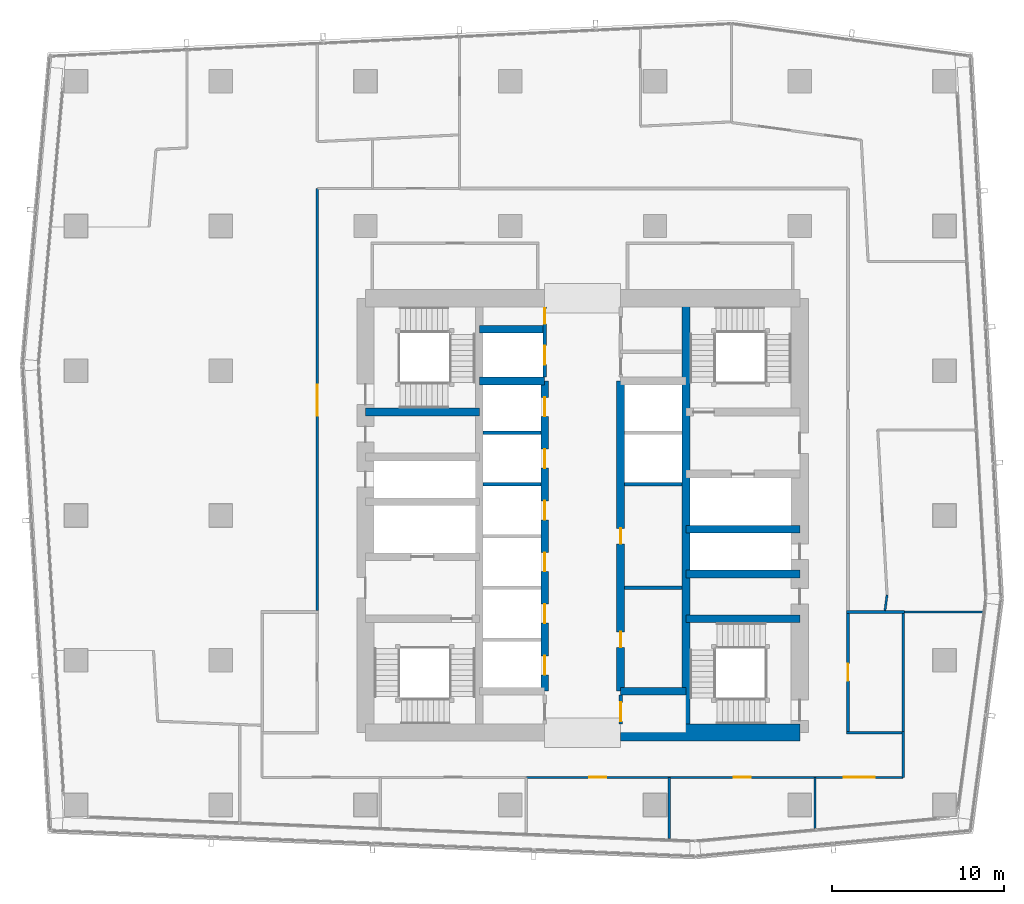
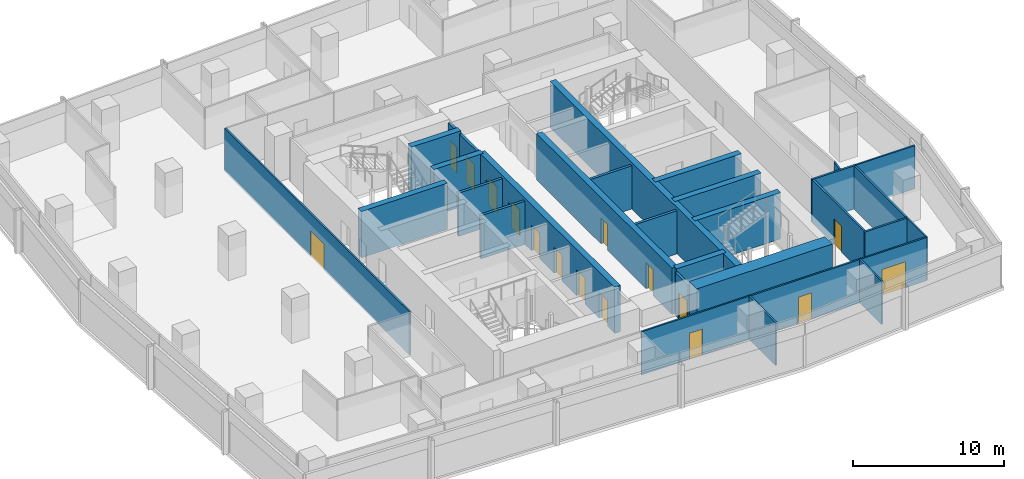
# One storey, part 28 of 40: 30 walls, 16 doors, 16 openings.
"""IFC4 building model written with IfcOpenShell, lengths in metres."""

from ifc_helpers import new_model, si_unit, direction, frame, frame_2d, origin, place, context, subcontext, project, spatial, rectangle, extrude, material, layer, layer_set, type_object, element, fill, save


model = new_model("IFC4")

# Units and contexts
model_context = context("Model", 3, precision=1e-05, world=origin(), true_north=direction((0.0, 1.0)))
body_context = subcontext(model_context, "Body", "Model", "MODEL_VIEW")
ifc_project = project(units=[si_unit("LENGTHUNIT", "METRE"), si_unit("AREAUNIT", "SQUARE_METRE"), si_unit("VOLUMEUNIT", "CUBIC_METRE"), si_unit("PLANEANGLEUNIT", "RADIAN"), si_unit("MASSUNIT", "GRAM", prefix="KILO")], contexts=[model_context])

# Site, building, storey
site_placement = place(None, origin())
site = spatial("IfcSite", under=ifc_project, at=site_placement, CompositionType="ELEMENT")
building_placement = place(site_placement, origin())
building = spatial("IfcBuilding", under=site, at=building_placement, Name="Rekha Terrace Tower", CompositionType="ELEMENT")
storey_placement = place(building_placement, frame((0.0, 0.0, 210.199951171875)))
storey = spatial("IfcBuildingStorey", under=building, at=storey_placement, Name="L53", CompositionType="ELEMENT", Elevation=210.199951171875)

# Wall
ifc_material_1 = material(Name="Concrete M60", Category="concrete")
ifc_layer_1 = layer(ifc_material_1, 0.449951171875)
ifc_layer_set_1 = layer_set([ifc_layer_1], Name="Concrete M60")
wall_type_1 = type_object("IfcWallType", Name="CI3 450 core internal shear wall", PredefinedType="SHEAR", material=ifc_layer_set_1)
wall_1_placement = place(storey_placement, frame((43.800048828125, 21.0, 0.0), z_axis=(0.0, 0.0, 1.0), x_axis=(0.0, 1.0, 0.0)))
element("IfcWall", 1, at=wall_1_placement, inside=storey, type_object=wall_type_1, Name="Core wall X438 L53", PredefinedType="SHEAR", context=body_context, shape_type="SweptSolid", body=[
    extrude(rectangle(XDim=25.199951171875, YDim=0.449951171875, at=frame_2d((12.60009765625, 0.0))), origin(), (0.0, 0.0, 1.0), 3.75),
])

# Wall, openings, doors
wall_2_placement = place(storey_placement, frame((35.60009765625, 23.39990234375, 0.0), z_axis=(0.0, 0.0, 1.0), x_axis=(0.0, 1.0, 0.0)))
wall_2 = element("IfcWall", 2, at=wall_2_placement, inside=storey, type_object=wall_type_1, Name="Core wall X356 L53", PredefinedType="SHEAR", context=body_context, shape_type="SweptSolid", body=[
    extrude(rectangle(XDim=18.0, YDim=0.449951171875, at=frame_2d((9.0, 0.0))), origin(), (0.0, 0.0, 1.0), 3.75),
])
opening_1_placement = place(wall_2_placement, frame((0.949951171875, 0.0, 0.0)))
opening_1 = element("IfcOpeningElement", 3, at=opening_1_placement, cuts=wall_2, Name="Opening LD1", PredefinedType="OPENING", context=body_context, shape_type="SweptSolid", body=[
    extrude(rectangle(XDim=1.10009765625, YDim=2.10009765625, at=frame_2d((0.550048828125, 1.050048828125))), frame((0.0, 0.23486328125, 0.0), z_axis=(0.0, -1.0, 0.0), x_axis=(1.0, 0.0, 0.0)), (0.0, 0.0, 1.0), 0.469970703125),
])
opening_2_placement = place(wall_2_placement, frame((3.949951171875, 0.0, 0.0)))
opening_2 = element("IfcOpeningElement", 4, at=opening_2_placement, cuts=wall_2, Name="Opening LD1", PredefinedType="OPENING", context=body_context, shape_type="SweptSolid", body=[
    extrude(rectangle(XDim=1.10009765625, YDim=2.10009765625, at=frame_2d((0.550048828125, 1.050048828125))), frame((0.0, 0.23486328125, 0.0), z_axis=(0.0, -1.0, 0.0), x_axis=(1.0, 0.0, 0.0)), (0.0, 0.0, 1.0), 0.469970703125),
])
opening_3_placement = place(wall_2_placement, frame((6.949951171875, 0.0, 0.0)))
opening_3 = element("IfcOpeningElement", 5, at=opening_3_placement, cuts=wall_2, Name="Opening LD1", PredefinedType="OPENING", context=body_context, shape_type="SweptSolid", body=[
    extrude(rectangle(XDim=1.10009765625, YDim=2.10009765625, at=frame_2d((0.550048828125, 1.050048828125))), frame((0.0, 0.23486328125, 0.0), z_axis=(0.0, -1.0, 0.0), x_axis=(1.0, 0.0, 0.0)), (0.0, 0.0, 1.0), 0.469970703125),
])
opening_4_placement = place(wall_2_placement, frame((9.949951171875, 0.0, 0.0)))
opening_4 = element("IfcOpeningElement", 6, at=opening_4_placement, cuts=wall_2, Name="Opening LD1", PredefinedType="OPENING", context=body_context, shape_type="SweptSolid", body=[
    extrude(rectangle(XDim=1.10009765625, YDim=2.10009765625, at=frame_2d((0.550048828125, 1.050048828125))), frame((0.0, 0.23486328125, 0.0), z_axis=(0.0, -1.0, 0.0), x_axis=(1.0, 0.0, 0.0)), (0.0, 0.0, 1.0), 0.469970703125),
])
opening_5_placement = place(wall_2_placement, frame((12.949951171875, 0.0, 0.0)))
opening_5 = element("IfcOpeningElement", 7, at=opening_5_placement, cuts=wall_2, Name="Opening LD1", PredefinedType="OPENING", context=body_context, shape_type="SweptSolid", body=[
    extrude(rectangle(XDim=1.10009765625, YDim=2.10009765625, at=frame_2d((0.550048828125, 1.050048828125))), frame((0.0, 0.23486328125, 0.0), z_axis=(0.0, -1.0, 0.0), x_axis=(1.0, 0.0, 0.0)), (0.0, 0.0, 1.0), 0.469970703125),
])
opening_6_placement = place(wall_2_placement, frame((15.949951171875, 0.0, 0.0)))
opening_6 = element("IfcOpeningElement", 8, at=opening_6_placement, cuts=wall_2, Name="Opening LD1", PredefinedType="OPENING", context=body_context, shape_type="SweptSolid", body=[
    extrude(rectangle(XDim=1.10009765625, YDim=2.10009765625, at=frame_2d((0.550048828125, 1.050048828125))), frame((0.0, 0.23486328125, 0.0), z_axis=(0.0, -1.0, 0.0), x_axis=(1.0, 0.0, 0.0)), (0.0, 0.0, 1.0), 0.469970703125),
])
ifc_material_2 = material(Name="Stainless steel sliding landing door", Category="steel")
door_type_1 = type_object("IfcDoorType", Name="LD1 1100x2100 lift landing door", OperationType="SLIDING_TO_LEFT", PredefinedType="USERDEFINED", material=ifc_material_2)
door_1_placement = place(opening_1_placement, origin())
door_1 = element("IfcDoor", 9, at=door_1_placement, inside=storey, type_object=door_type_1, Name="Lift C1 landing door L53", ObjectType="LIFT LANDING DOOR", OperationType="SLIDING_TO_LEFT", OverallHeight=2.10009765625, OverallWidth=1.10009765625, PredefinedType="USERDEFINED", context=body_context, shape_type="SweptSolid", body=[
    extrude(rectangle(XDim=1.10009765625, YDim=2.10009765625, at=frame_2d((0.550048828125, 1.050048828125))), frame((0.0, 0.02490234375, 0.0), z_axis=(0.0, -1.0, 0.0), x_axis=(1.0, 0.0, 0.0)), (0.0, 0.0, 1.0), 0.050048828125),
])
fill(opening_1, door_1)
door_2_placement = place(opening_2_placement, origin())
door_2 = element("IfcDoor", 10, at=door_2_placement, inside=storey, type_object=door_type_1, Name="Lift C2 landing door L53", ObjectType="LIFT LANDING DOOR", OperationType="SLIDING_TO_LEFT", OverallHeight=2.10009765625, OverallWidth=1.10009765625, PredefinedType="USERDEFINED", context=body_context, shape_type="SweptSolid", body=[
    extrude(rectangle(XDim=1.10009765625, YDim=2.10009765625, at=frame_2d((0.550048828125, 1.050048828125))), frame((0.0, 0.02490234375, 0.0), z_axis=(0.0, -1.0, 0.0), x_axis=(1.0, 0.0, 0.0)), (0.0, 0.0, 1.0), 0.050048828125),
])
fill(opening_2, door_2)
door_3_placement = place(opening_3_placement, origin())
door_3 = element("IfcDoor", 11, at=door_3_placement, inside=storey, type_object=door_type_1, Name="Lift C3 landing door L53", ObjectType="LIFT LANDING DOOR", OperationType="SLIDING_TO_LEFT", OverallHeight=2.10009765625, OverallWidth=1.10009765625, PredefinedType="USERDEFINED", context=body_context, shape_type="SweptSolid", body=[
    extrude(rectangle(XDim=1.10009765625, YDim=2.10009765625, at=frame_2d((0.550048828125, 1.050048828125))), frame((0.0, 0.02490234375, 0.0), z_axis=(0.0, -1.0, 0.0), x_axis=(1.0, 0.0, 0.0)), (0.0, 0.0, 1.0), 0.050048828125),
])
fill(opening_3, door_3)
door_4_placement = place(opening_4_placement, origin())
door_4 = element("IfcDoor", 12, at=door_4_placement, inside=storey, type_object=door_type_1, Name="Lift C4 landing door L53", ObjectType="LIFT LANDING DOOR", OperationType="SLIDING_TO_LEFT", OverallHeight=2.10009765625, OverallWidth=1.10009765625, PredefinedType="USERDEFINED", context=body_context, shape_type="SweptSolid", body=[
    extrude(rectangle(XDim=1.10009765625, YDim=2.10009765625, at=frame_2d((0.550048828125, 1.050048828125))), frame((0.0, 0.02490234375, 0.0), z_axis=(0.0, -1.0, 0.0), x_axis=(1.0, 0.0, 0.0)), (0.0, 0.0, 1.0), 0.050048828125),
])
fill(opening_4, door_4)
door_5_placement = place(opening_5_placement, origin())
door_5 = element("IfcDoor", 13, at=door_5_placement, inside=storey, type_object=door_type_1, Name="Lift C5 landing door L53", ObjectType="LIFT LANDING DOOR", OperationType="SLIDING_TO_LEFT", OverallHeight=2.10009765625, OverallWidth=1.10009765625, PredefinedType="USERDEFINED", context=body_context, shape_type="SweptSolid", body=[
    extrude(rectangle(XDim=1.10009765625, YDim=2.10009765625, at=frame_2d((0.550048828125, 1.050048828125))), frame((0.0, 0.02490234375, 0.0), z_axis=(0.0, -1.0, 0.0), x_axis=(1.0, 0.0, 0.0)), (0.0, 0.0, 1.0), 0.050048828125),
])
fill(opening_5, door_5)
door_6_placement = place(opening_6_placement, origin())
door_6 = element("IfcDoor", 14, at=door_6_placement, inside=storey, type_object=door_type_1, Name="Lift C6 landing door L53", ObjectType="LIFT LANDING DOOR", OperationType="SLIDING_TO_LEFT", OverallHeight=2.10009765625, OverallWidth=1.10009765625, PredefinedType="USERDEFINED", context=body_context, shape_type="SweptSolid", body=[
    extrude(rectangle(XDim=1.10009765625, YDim=2.10009765625, at=frame_2d((0.550048828125, 1.050048828125))), frame((0.0, 0.02490234375, 0.0), z_axis=(0.0, -1.0, 0.0), x_axis=(1.0, 0.0, 0.0)), (0.0, 0.0, 1.0), 0.050048828125),
])
fill(opening_6, door_6)

wall_3_placement = place(storey_placement, frame((40.0, 23.39990234375, 0.0), z_axis=(0.0, 0.0, 1.0), x_axis=(0.0, 1.0, 0.0)))
wall_3 = element("IfcWall", 15, at=wall_3_placement, inside=storey, type_object=wall_type_1, Name="Core wall X400 L53", PredefinedType="SHEAR", context=body_context, shape_type="SweptSolid", body=[
    extrude(rectangle(XDim=18.0, YDim=0.449951171875, at=frame_2d((9.0, 0.0))), origin(), (0.0, 0.0, 1.0), 3.75),
])
opening_7_placement = place(wall_3_placement, frame((2.550048828125, 0.0, 0.0)))
opening_7 = element("IfcOpeningElement", 16, at=opening_7_placement, cuts=wall_3, Name="Opening D5", PredefinedType="OPENING", context=body_context, shape_type="SweptSolid", body=[
    extrude(rectangle(XDim=0.89990234375, YDim=2.10009765625, at=frame_2d((0.449951171875, 1.050048828125))), frame((0.0, 0.23486328125, 0.0), z_axis=(0.0, -1.0, 0.0), x_axis=(1.0, 0.0, 0.0)), (0.0, 0.0, 1.0), 0.469970703125),
])
opening_8_placement = place(wall_3_placement, frame((8.550048828125, 0.0, 0.0)))
opening_8 = element("IfcOpeningElement", 17, at=opening_8_placement, cuts=wall_3, Name="Opening D5", PredefinedType="OPENING", context=body_context, shape_type="SweptSolid", body=[
    extrude(rectangle(XDim=0.89990234375, YDim=2.10009765625, at=frame_2d((0.449951171875, 1.050048828125))), frame((0.0, 0.23486328125, 0.0), z_axis=(0.0, -1.0, 0.0), x_axis=(1.0, 0.0, 0.0)), (0.0, 0.0, 1.0), 0.469970703125),
])
ifc_material_3 = material(Name="Steel fire door", Category="steel")
door_type_2 = type_object("IfcDoorType", Name="D5 900x2100 riser access door", OperationType="SINGLE_SWING_LEFT", PredefinedType="DOOR", material=ifc_material_3)
door_7_placement = place(opening_7_placement, origin())
door_7 = element("IfcDoor", 18, at=door_7_placement, inside=storey, type_object=door_type_2, Name="Door back-of-house store L53", OperationType="SINGLE_SWING_LEFT", OverallHeight=2.10009765625, OverallWidth=0.89990234375, PredefinedType="DOOR", context=body_context, shape_type="SweptSolid", body=[
    extrude(rectangle(XDim=0.89990234375, YDim=2.10009765625, at=frame_2d((0.449951171875, 1.050048828125))), frame((0.0, 0.02490234375, 0.0), z_axis=(0.0, -1.0, 0.0), x_axis=(1.0, 0.0, 0.0)), (0.0, 0.0, 1.0), 0.050048828125),
])
fill(opening_7, door_7)
door_8_placement = place(opening_8_placement, origin())
door_8 = element("IfcDoor", 19, at=door_8_placement, inside=storey, type_object=door_type_2, Name="Door back-of-house store L53", OperationType="SINGLE_SWING_LEFT", OverallHeight=2.10009765625, OverallWidth=0.89990234375, PredefinedType="DOOR", context=body_context, shape_type="SweptSolid", body=[
    extrude(rectangle(XDim=0.89990234375, YDim=2.10009765625, at=frame_2d((0.449951171875, 1.050048828125))), frame((0.0, 0.02490234375, 0.0), z_axis=(0.0, -1.0, 0.0), x_axis=(1.0, 0.0, 0.0)), (0.0, 0.0, 1.0), 0.050048828125),
])
fill(opening_8, door_8)

# Walls
for number, where, z_axis, x_axis, name in (
    (20, (31.800048828125, 41.39990234375, 0.0), (0.0, 0.0, 1.0), (1.0, 0.0, 0.0), "Core wall Y414W L53"),
    (21, (31.800048828125, 44.39990234375, 0.0), (0.0, 0.0, 1.0), (1.0, 0.0, 0.0), "Core wall Y444W L53"),
    (22, (40.0, 23.39990234375, 0.0), (0.0, 0.0, 1.0), (1.0, 0.0, 0.0), "Core wall Y234E L53"),
):
    element("IfcWall", number, at=place(storey_placement, frame(where, z_axis=z_axis, x_axis=x_axis)), inside=storey, type_object=wall_type_1, Name=name, PredefinedType="SHEAR", context=body_context, shape_type="SweptSolid", body=[
        extrude(rectangle(XDim=3.800048828125, YDim=0.449951171875, at=frame_2d((1.89990234375, 0.0))), origin(), (0.0, 0.0, 1.0), 3.75),
    ])
wall_4_placement = place(storey_placement, frame((25.199951171875, 39.60009765625, 0.0), z_axis=(0.0, 0.0, 1.0), x_axis=(1.0, 0.0, 0.0)))
element("IfcWall", 23, at=wall_4_placement, inside=storey, type_object=wall_type_1, Name="Core wall Y396W L53", PredefinedType="SHEAR", context=body_context, shape_type="SweptSolid", body=[
    extrude(rectangle(XDim=6.60009765625, YDim=0.449951171875, at=frame_2d((3.300048828125, 0.0))), origin(), (0.0, 0.0, 1.0), 3.75),
])
for number, where, z_axis, x_axis, name in (
    (24, (43.800048828125, 27.60009765625, 0.0), (0.0, 0.0, 1.0), (1.0, 0.0, 0.0), "Core wall Y276E L53"),
    (25, (43.800048828125, 30.199951171875, 0.0), (0.0, 0.0, 1.0), (1.0, 0.0, 0.0), "Core wall Y302E L53"),
    (26, (43.800048828125, 32.800048828125, 0.0), (0.0, 0.0, 1.0), (1.0, 0.0, 0.0), "Core wall Y328E L53"),
):
    element("IfcWall", number, at=place(storey_placement, frame(where, z_axis=z_axis, x_axis=x_axis)), inside=storey, type_object=wall_type_1, Name=name, PredefinedType="SHEAR", context=body_context, shape_type="SweptSolid", body=[
        extrude(rectangle(XDim=6.599853515625, YDim=0.449951171875, at=frame_2d((3.2998046875, 0.0))), origin(), (0.0, 0.0, 1.0), 3.75),
    ])
ifc_layer_2 = layer(ifc_material_1, 1.0)
ifc_layer_set_2 = layer_set([ifc_layer_2], Name="Concrete M60")
wall_type_2 = type_object("IfcWallType", Name="SW3 1000 core outer shear wall", PredefinedType="SHEAR", material=ifc_layer_set_2)
wall_5_placement = place(storey_placement, frame((40.0, 21.0, 0.0), z_axis=(0.0, 0.0, 1.0), x_axis=(1.0, 0.0, 0.0)))
element("IfcWall", 27, at=wall_5_placement, inside=storey, type_object=wall_type_2, Name="Core wall S2 L53", PredefinedType="SHEAR", context=body_context, shape_type="SweptSolid", body=[
    extrude(rectangle(XDim=10.39990234375, YDim=1.0, at=frame_2d((5.199951171875, 0.0))), origin(), (0.0, 0.0, 1.0), 3.75),
])
ifc_material_4 = material(Name="Concrete block masonry, 1 hour", Category="masonry")
ifc_layer_3 = layer(ifc_material_4, 0.14990234375)
ifc_layer_set_3 = layer_set([ifc_layer_3], Name="Concrete block masonry, 1 hour")
wall_type_3 = type_object("IfcWallType", Name="WP2 150 tenancy partition", PredefinedType="PARTITIONING", material=ifc_layer_set_3)
for number, where, z_axis, x_axis, name in (
    (28, (53.125, 21.0, 0.0), (0.0, 0.0, 1.0), (1.0, 0.0, 0.0), "Men's WC wall L53"),
    (29, (53.125, 28.0, 0.0), (0.0, 0.0, 1.0), (1.0, 0.0, 0.0), "Men's WC wall L53"),
):
    element("IfcWall", number, at=place(storey_placement, frame(where, z_axis=z_axis, x_axis=x_axis)), inside=storey, type_object=wall_type_3, Name=name, PredefinedType="PARTITIONING", context=body_context, shape_type="SweptSolid", body=[
        extrude(rectangle(XDim=3.35009765625, YDim=0.14990234375, at=frame_2d((1.675048828125, 0.0))), origin(), (0.0, 0.0, 1.0), 3.5),
    ])

# Wall, opening, door
wall_6_placement = place(storey_placement, frame((53.199951171875, 21.074951171875, 0.0), z_axis=(0.0, 0.0, 1.0), x_axis=(0.0, 1.0, 0.0)))
wall_6 = element("IfcWall", 30, at=wall_6_placement, inside=storey, type_object=wall_type_3, Name="Men's WC wall L53", PredefinedType="PARTITIONING", context=body_context, shape_type="SweptSolid", body=[
    extrude(rectangle(XDim=6.85009765625, YDim=0.14990234375, at=frame_2d((3.425048828125, 0.0))), origin(), (0.0, 0.0, 1.0), 3.5),
])
opening_9_placement = place(wall_6_placement, frame((2.925048828125, 0.0, 0.0)))
opening_9 = element("IfcOpeningElement", 31, at=opening_9_placement, cuts=wall_6, Name="Opening D3", PredefinedType="OPENING", context=body_context, shape_type="SweptSolid", body=[
    extrude(rectangle(XDim=1.0, YDim=2.10009765625, at=frame_2d((0.5, 1.050048828125))), frame((0.0, 0.0849609375, 0.0), z_axis=(0.0, -1.0, 0.0), x_axis=(1.0, 0.0, 0.0)), (0.0, 0.0, 1.0), 0.169921875),
])
ifc_material_5 = material(Name="Laminated timber fire door", Category="wood")
door_type_3 = type_object("IfcDoorType", Name="D3 1000x2100 WC door", OperationType="SINGLE_SWING_LEFT", PredefinedType="DOOR", material=ifc_material_5)
door_9_placement = place(opening_9_placement, origin())
door_9 = element("IfcDoor", 32, at=door_9_placement, inside=storey, type_object=door_type_3, Name="Door men's wc L53", OperationType="SINGLE_SWING_LEFT", OverallHeight=2.10009765625, OverallWidth=1.0, PredefinedType="DOOR", context=body_context, shape_type="SweptSolid", body=[
    extrude(rectangle(XDim=1.0, YDim=2.10009765625, at=frame_2d((0.5, 1.050048828125))), frame((0.0, 0.02490234375, 0.0), z_axis=(0.0, -1.0, 0.0), x_axis=(1.0, 0.0, 0.0)), (0.0, 0.0, 1.0), 0.050048828125),
])
fill(opening_9, door_9)

# Wall
wall_7_placement = place(storey_placement, frame((56.39990234375, 21.074951171875, 0.0), z_axis=(0.0, 0.0, 1.0), x_axis=(0.0, 1.0, 0.0)))
element("IfcWall", 33, at=wall_7_placement, inside=storey, type_object=wall_type_3, Name="Men's WC wall L53", PredefinedType="PARTITIONING", context=body_context, shape_type="SweptSolid", body=[
    extrude(rectangle(XDim=6.85009765625, YDim=0.14990234375, at=frame_2d((3.425048828125, 0.0))), origin(), (0.0, 0.0, 1.0), 3.5),
])

# Wall, opening, door
ifc_material_6 = material(Name="Two layers of fire-rated gypsum board each side on steel studs, acoustic quilt, 1 hour", Category="steel")
ifc_layer_4 = layer(ifc_material_6, 0.125)
ifc_layer_set_4 = layer_set([ifc_layer_4], Name="Two layers of fire-rated gypsum board each side on steel studs, acoustic quilt, 1 hour")
wall_type_4 = type_object("IfcWallType", Name="WP3 125 office partition", PredefinedType="PARTITIONING", material=ifc_layer_set_4)
wall_8_placement = place(storey_placement, frame((34.531005859375, 18.39990234375, 0.0), z_axis=(0.0, 0.0, 1.0), x_axis=(1.0, 0.0, 0.0)))
wall_8 = element("IfcWall", 34, at=wall_8_placement, inside=storey, type_object=wall_type_4, Name="Partition L53-02", PredefinedType="PARTITIONING", context=body_context, shape_type="SweptSolid", body=[
    extrude(rectangle(XDim=8.2919921875, YDim=0.125, at=frame_2d((4.14599609375, 0.0))), origin(), (0.0, 0.0, 1.0), 3.5),
])
opening_10_placement = place(wall_8_placement, frame((3.64599609375, 0.0, 0.0)))
opening_10 = element("IfcOpeningElement", 35, at=opening_10_placement, cuts=wall_8, Name="Opening D9", PredefinedType="OPENING", context=body_context, shape_type="SweptSolid", body=[
    extrude(rectangle(XDim=1.0, YDim=2.10009765625, at=frame_2d((0.5, 1.050048828125))), frame((0.0, 0.072509765625, 0.0), z_axis=(0.0, -1.0, 0.0), x_axis=(1.0, 0.0, 0.0)), (0.0, 0.0, 1.0), 0.14501953125),
])
ifc_material_7 = material(Name="Timber fire door", Category="wood")
door_type_4 = type_object("IfcDoorType", Name="D9 1000x2100 office door", OperationType="SINGLE_SWING_LEFT", PredefinedType="DOOR", material=ifc_material_7)
door_10_placement = place(opening_10_placement, origin())
door_10 = element("IfcDoor", 36, at=door_10_placement, inside=storey, type_object=door_type_4, Name="Door meeting room L53", OperationType="SINGLE_SWING_LEFT", OverallHeight=2.10009765625, OverallWidth=1.0, PredefinedType="DOOR", context=body_context, shape_type="SweptSolid", body=[
    extrude(rectangle(XDim=1.0, YDim=2.10009765625, at=frame_2d((0.5, 1.050048828125))), frame((0.0, 0.02490234375, 0.0), z_axis=(0.0, -1.0, 0.0), x_axis=(1.0, 0.0, 0.0)), (0.0, 0.0, 1.0), 0.050048828125),
])
fill(opening_10, door_10)

# Wall
wall_9_placement = place(storey_placement, frame((42.822998046875, 18.39990234375, 0.0), z_axis=(0.0, 0.0, 1.0), x_axis=(0.0, -1.0, 0.0)))
element("IfcWall", 37, at=wall_9_placement, inside=storey, type_object=wall_type_4, Name="Partition L53-02", PredefinedType="PARTITIONING", context=body_context, shape_type="SweptSolid", body=[
    extrude(rectangle(XDim=3.548828125, YDim=0.125, at=frame_2d((1.7744140625, 0.0))), origin(), (0.0, 0.0, 1.0), 3.5),
])

# Wall, opening, door
wall_10_placement = place(storey_placement, frame((42.823974609375, 18.39990234375, 0.0), z_axis=(0.0, 0.0, 1.0), x_axis=(1.0, 0.0, 0.0)))
wall_10 = element("IfcWall", 38, at=wall_10_placement, inside=storey, type_object=wall_type_4, Name="Partition L53-03", PredefinedType="PARTITIONING", context=body_context, shape_type="SweptSolid", body=[
    extrude(rectangle(XDim=8.466064453125, YDim=0.125, at=frame_2d((4.23291015625, 0.0))), origin(), (0.0, 0.0, 1.0), 3.5),
])
opening_11_placement = place(wall_10_placement, frame((3.73291015625, 0.0, 0.0)))
opening_11 = element("IfcOpeningElement", 39, at=opening_11_placement, cuts=wall_10, Name="Opening D9", PredefinedType="OPENING", context=body_context, shape_type="SweptSolid", body=[
    extrude(rectangle(XDim=1.0, YDim=2.10009765625, at=frame_2d((0.5, 1.050048828125))), frame((0.0, 0.072509765625, 0.0), z_axis=(0.0, -1.0, 0.0), x_axis=(1.0, 0.0, 0.0)), (0.0, 0.0, 1.0), 0.14501953125),
])
door_11_placement = place(opening_11_placement, origin())
door_11 = element("IfcDoor", 40, at=door_11_placement, inside=storey, type_object=door_type_4, Name="Door pantry L53", OperationType="SINGLE_SWING_LEFT", OverallHeight=2.10009765625, OverallWidth=1.0, PredefinedType="DOOR", context=body_context, shape_type="SweptSolid", body=[
    extrude(rectangle(XDim=1.0, YDim=2.10009765625, at=frame_2d((0.5, 1.050048828125))), frame((0.0, 0.02490234375, 0.0), z_axis=(0.0, -1.0, 0.0), x_axis=(1.0, 0.0, 0.0)), (0.0, 0.0, 1.0), 0.050048828125),
])
fill(opening_11, door_11)

# Walls
wall_11_placement = place(storey_placement, frame((51.2900390625, 18.39990234375, 0.0), z_axis=(0.0, 0.0, 1.0), x_axis=(0.0, -1.0, 0.0)))
element("IfcWall", 41, at=wall_11_placement, inside=storey, type_object=wall_type_4, Name="Partition L53-03", PredefinedType="PARTITIONING", context=body_context, shape_type="SweptSolid", body=[
    extrude(rectangle(XDim=2.9580078125, YDim=0.125, at=frame_2d((1.47900390625, 0.0))), origin(), (0.0, 0.0, 1.0), 3.5),
])
wall_12_placement = place(storey_placement, frame((56.47607421875, 28.0, 0.0), z_axis=(0.0, 0.0, 1.0), x_axis=(1.0, 0.0, 0.0)))
element("IfcWall", 42, at=wall_12_placement, inside=storey, type_object=wall_type_4, Name="Partition L53-04", PredefinedType="PARTITIONING", context=body_context, shape_type="SweptSolid", body=[
    extrude(rectangle(XDim=4.555908203125, YDim=0.125, at=frame_2d((2.27783203125, 0.0))), origin(), (0.0, 0.0, 1.0), 3.5),
])

# Wall, opening, door
wall_13_placement = place(storey_placement, frame((51.291015625, 18.39990234375, 0.0), z_axis=(0.0, 0.0, 1.0), x_axis=(1.0, 0.0, 0.0)))
wall_13 = element("IfcWall", 43, at=wall_13_placement, inside=storey, type_object=wall_type_4, Name="Partition L53-04", PredefinedType="PARTITIONING", context=body_context, shape_type="SweptSolid", body=[
    extrude(rectangle(XDim=5.10888671875, YDim=0.125, at=frame_2d((2.554443359375, 0.0))), origin(), (0.0, 0.0, 1.0), 3.5),
])
opening_12_placement = place(wall_13_placement, frame((1.655029296875, 0.0, 0.0)))
opening_12 = element("IfcOpeningElement", 44, at=opening_12_placement, cuts=wall_13, Name="Opening D8", PredefinedType="OPENING", context=body_context, shape_type="SweptSolid", body=[
    extrude(rectangle(XDim=1.800048828125, YDim=2.10009765625, at=frame_2d((0.89990234375, 1.050048828125))), frame((0.0, 0.072509765625, 0.0), z_axis=(0.0, -1.0, 0.0), x_axis=(1.0, 0.0, 0.0)), (0.0, 0.0, 1.0), 0.14501953125),
])
door_type_5 = type_object("IfcDoorType", Name="D8 1800x2100 double leaf door", OperationType="DOUBLE_DOOR_SINGLE_SWING", PredefinedType="DOOR", material=ifc_material_7)
door_12_placement = place(opening_12_placement, origin())
door_12 = element("IfcDoor", 45, at=door_12_placement, inside=storey, type_object=door_type_5, Name="Door board meeting room L53", OperationType="DOUBLE_DOOR_SINGLE_SWING", OverallHeight=2.10009765625, OverallWidth=1.800048828125, PredefinedType="DOOR", context=body_context, shape_type="SweptSolid", body=[
    extrude(rectangle(XDim=1.800048828125, YDim=2.10009765625, at=frame_2d((0.89990234375, 1.050048828125))), frame((0.0, 0.02490234375, 0.0), z_axis=(0.0, -1.0, 0.0), x_axis=(1.0, 0.0, 0.0)), (0.0, 0.0, 1.0), 0.050048828125),
])
fill(opening_12, door_12)

# Walls
wall_14_placement = place(storey_placement, frame((56.39990234375, 18.39990234375, 0.0), z_axis=(0.0, 0.0, 1.0), x_axis=(0.0, 1.0, 0.0)))
element("IfcWall", 46, at=wall_14_placement, inside=storey, type_object=wall_type_4, Name="Partition L53-04", PredefinedType="PARTITIONING", context=body_context, shape_type="SweptSolid", body=[
    extrude(rectangle(XDim=2.675048828125, YDim=0.125, at=frame_2d((1.33740234375, 0.0))), origin(), (0.0, 0.0, 1.0), 3.5),
])
wall_15_placement = place(storey_placement, frame((55.343017578125, 28.074951171875, 0.0), z_axis=(0.0, 0.0, 1.0), x_axis=(0.131509017553, 0.991314974316, 0.0)))
element("IfcWall", 47, at=wall_15_placement, inside=storey, type_object=wall_type_4, Name="Partition L53-05", PredefinedType="PARTITIONING", context=body_context, shape_type="SweptSolid", body=[
    extrude(rectangle(XDim=0.92822265625, YDim=0.125, at=frame_2d((0.464111328125, 0.0))), origin(), (0.0, 0.0, 1.0), 3.5),
])

# Wall, opening, door
wall_16_placement = place(storey_placement, frame((22.39990234375, 52.574951171875, 0.0), z_axis=(0.0, 0.0, 1.0), x_axis=(0.0, -1.0, 0.0)))
wall_16 = element("IfcWall", 48, at=wall_16_placement, inside=storey, type_object=wall_type_4, Name="Partition L53-15", PredefinedType="PARTITIONING", context=body_context, shape_type="SweptSolid", body=[
    extrude(rectangle(XDim=24.5, YDim=0.125, at=frame_2d((12.25, 0.0))), origin(), (0.0, 0.0, 1.0), 3.5),
])
opening_13_placement = place(wall_16_placement, frame((11.387939453125, 0.0, 0.0)))
opening_13 = element("IfcOpeningElement", 49, at=opening_13_placement, cuts=wall_16, Name="Opening D8", PredefinedType="OPENING", context=body_context, shape_type="SweptSolid", body=[
    extrude(rectangle(XDim=1.800048828125, YDim=2.10009765625, at=frame_2d((0.89990234375, 1.050048828125))), frame((0.0, 0.072509765625, 0.0), z_axis=(0.0, -1.0, 0.0), x_axis=(1.0, 0.0, 0.0)), (0.0, 0.0, 1.0), 0.14501953125),
])
door_13_placement = place(opening_13_placement, origin())
door_13 = element("IfcDoor", 50, at=door_13_placement, inside=storey, type_object=door_type_5, Name="Door reception L53", OperationType="DOUBLE_DOOR_SINGLE_SWING", OverallHeight=2.10009765625, OverallWidth=1.800048828125, PredefinedType="DOOR", context=body_context, shape_type="SweptSolid", body=[
    extrude(rectangle(XDim=1.800048828125, YDim=2.10009765625, at=frame_2d((0.89990234375, 1.050048828125))), frame((0.0, 0.02490234375, 0.0), z_axis=(0.0, -1.0, 0.0), x_axis=(1.0, 0.0, 0.0)), (0.0, 0.0, 1.0), 0.050048828125),
])
fill(opening_13, door_13)

# Walls
ifc_material_8 = material(Name="Solid concrete block masonry, 2 hour", Category="masonry")
ifc_layer_5 = layer(ifc_material_8, 0.199951171875)
ifc_layer_set_5 = layer_set([ifc_layer_5], Name="Solid concrete block masonry, 2 hour")
wall_type_5 = type_object("IfcWallType", Name="WS1 200 stair and shaft enclosure", PredefinedType="PARTITIONING", material=ifc_layer_set_5)
for number, where, z_axis, x_axis, name in (
    (51, (32.02490234375, 35.39990234375, 0.0), (0.0, 0.0, 1.0), (1.0, 0.0, 0.0), "Lift shaft divider L53"),
    (52, (32.02490234375, 38.39990234375, 0.0), (0.0, 0.0, 1.0), (1.0, 0.0, 0.0), "Lift shaft divider L53"),
):
    element("IfcWall", number, at=place(storey_placement, frame(where, z_axis=z_axis, x_axis=x_axis)), inside=storey, type_object=wall_type_5, Name=name, PredefinedType="PARTITIONING", context=body_context, shape_type="SweptSolid", body=[
        extrude(rectangle(XDim=3.35009765625, YDim=0.199951171875, at=frame_2d((1.675048828125, 0.0))), origin(), (0.0, 0.0, 1.0), 3.5),
    ])
for number, where, z_axis, x_axis, name in (
    (53, (40.22509765625, 29.39990234375, 0.0), (0.0, 0.0, 1.0), (1.0, 0.0, 0.0), "Lift shaft divider L53"),
    (54, (40.22509765625, 35.39990234375, 0.0), (0.0, 0.0, 1.0), (1.0, 0.0, 0.0), "Lift shaft divider L53"),
):
    element("IfcWall", number, at=place(storey_placement, frame(where, z_axis=z_axis, x_axis=x_axis)), inside=storey, type_object=wall_type_5, Name=name, PredefinedType="PARTITIONING", context=body_context, shape_type="SweptSolid", body=[
        extrude(rectangle(XDim=3.349853515625, YDim=0.199951171875, at=frame_2d((1.6748046875, 0.0))), origin(), (0.0, 0.0, 1.0), 3.5),
    ])

# Wall, opening, door
wall_17_placement = place(storey_placement, frame((40.0, 21.5, 0.0), z_axis=(0.0, 0.0, 1.0), x_axis=(0.0, 1.0, 0.0)))
wall_17 = element("IfcWall", 55, at=wall_17_placement, inside=storey, type_object=wall_type_5, Name="Core partition wca L53", PredefinedType="PARTITIONING", context=body_context, shape_type="SweptSolid", body=[
    extrude(rectangle(XDim=1.675048828125, YDim=0.199951171875, at=frame_2d((0.83740234375, 0.0))), origin(), (0.0, 0.0, 1.0), 3.5),
])
opening_14_placement = place(wall_17_placement, frame((0.14990234375, 0.0, 0.0)))
opening_14 = element("IfcOpeningElement", 56, at=opening_14_placement, cuts=wall_17, Name="Opening D4", PredefinedType="OPENING", context=body_context, shape_type="SweptSolid", body=[
    extrude(rectangle(XDim=1.10009765625, YDim=2.10009765625, at=frame_2d((0.550048828125, 1.050048828125))), frame((0.0, 0.10986328125, 0.0), z_axis=(0.0, -1.0, 0.0), x_axis=(1.0, 0.0, 0.0)), (0.0, 0.0, 1.0), 0.219970703125),
])
door_type_6 = type_object("IfcDoorType", Name="D4 1100x2100 accessible WC door", OperationType="SLIDING_TO_LEFT", PredefinedType="DOOR", material=ifc_material_5)
door_14_placement = place(opening_14_placement, origin())
door_14 = element("IfcDoor", 57, at=door_14_placement, inside=storey, type_object=door_type_6, Name="Door wca L53", OperationType="SLIDING_TO_LEFT", OverallHeight=2.10009765625, OverallWidth=1.10009765625, PredefinedType="DOOR", context=body_context, shape_type="SweptSolid", body=[
    extrude(rectangle(XDim=1.10009765625, YDim=2.10009765625, at=frame_2d((0.550048828125, 1.050048828125))), frame((0.0, 0.02490234375, 0.0), z_axis=(0.0, -1.0, 0.0), x_axis=(1.0, 0.0, 0.0)), (0.0, 0.0, 1.0), 0.050048828125),
])
fill(opening_14, door_14)

# Wall, openings, doors
wall_18_placement = place(storey_placement, frame((35.60009765625, 41.625, 0.0), z_axis=(0.0, 0.0, 1.0), x_axis=(0.0, 1.0, 0.0)))
wall_18 = element("IfcWall", 58, at=wall_18_placement, inside=storey, type_object=wall_type_5, Name="Core partition jansv L53", PredefinedType="PARTITIONING", context=body_context, shape_type="SweptSolid", body=[
    extrude(rectangle(XDim=4.074951171875, YDim=0.199951171875, at=frame_2d((2.03759765625, 0.0))), origin(), (0.0, 0.0, 1.0), 3.5),
])
opening_15_placement = place(wall_18_placement, frame((3.087890625, 0.0, 0.0)))
opening_15 = element("IfcOpeningElement", 59, at=opening_15_placement, cuts=wall_18, Name="Opening D5", PredefinedType="OPENING", context=body_context, shape_type="SweptSolid", body=[
    extrude(rectangle(XDim=0.89990234375, YDim=2.10009765625, at=frame_2d((0.449951171875, 1.050048828125))), frame((0.0, 0.10986328125, 0.0), z_axis=(0.0, -1.0, 0.0), x_axis=(1.0, 0.0, 0.0)), (0.0, 0.0, 1.0), 0.219970703125),
])
opening_16_placement = place(wall_18_placement, frame((0.72509765625, 0.0, 0.0)))
opening_16 = element("IfcOpeningElement", 60, at=opening_16_placement, cuts=wall_18, Name="Opening LD1", PredefinedType="OPENING", context=body_context, shape_type="SweptSolid", body=[
    extrude(rectangle(XDim=1.10009765625, YDim=2.10009765625, at=frame_2d((0.550048828125, 1.050048828125))), frame((0.0, 0.10986328125, 0.0), z_axis=(0.0, -1.0, 0.0), x_axis=(1.0, 0.0, 0.0)), (0.0, 0.0, 1.0), 0.219970703125),
])
door_15_placement = place(opening_15_placement, origin())
door_15 = element("IfcDoor", 61, at=door_15_placement, inside=storey, type_object=door_type_2, Name="Door janitor room L53", OperationType="SINGLE_SWING_LEFT", OverallHeight=2.10009765625, OverallWidth=0.89990234375, PredefinedType="DOOR", context=body_context, shape_type="SweptSolid", body=[
    extrude(rectangle(XDim=0.89990234375, YDim=2.10009765625, at=frame_2d((0.449951171875, 1.050048828125))), frame((0.0, 0.02490234375, 0.0), z_axis=(0.0, -1.0, 0.0), x_axis=(1.0, 0.0, 0.0)), (0.0, 0.0, 1.0), 0.050048828125),
])
fill(opening_15, door_15)
door_16_placement = place(opening_16_placement, origin())
door_16 = element("IfcDoor", 62, at=door_16_placement, inside=storey, type_object=door_type_1, Name="Lift SV1 landing door L53", ObjectType="LIFT LANDING DOOR", OperationType="SLIDING_TO_LEFT", OverallHeight=2.10009765625, OverallWidth=1.10009765625, PredefinedType="USERDEFINED", context=body_context, shape_type="SweptSolid", body=[
    extrude(rectangle(XDim=1.10009765625, YDim=2.10009765625, at=frame_2d((0.550048828125, 1.050048828125))), frame((0.0, 0.02490234375, 0.0), z_axis=(0.0, -1.0, 0.0), x_axis=(1.0, 0.0, 0.0)), (0.0, 0.0, 1.0), 0.050048828125),
])
fill(opening_16, door_16)

save(model, "model.ifc")
